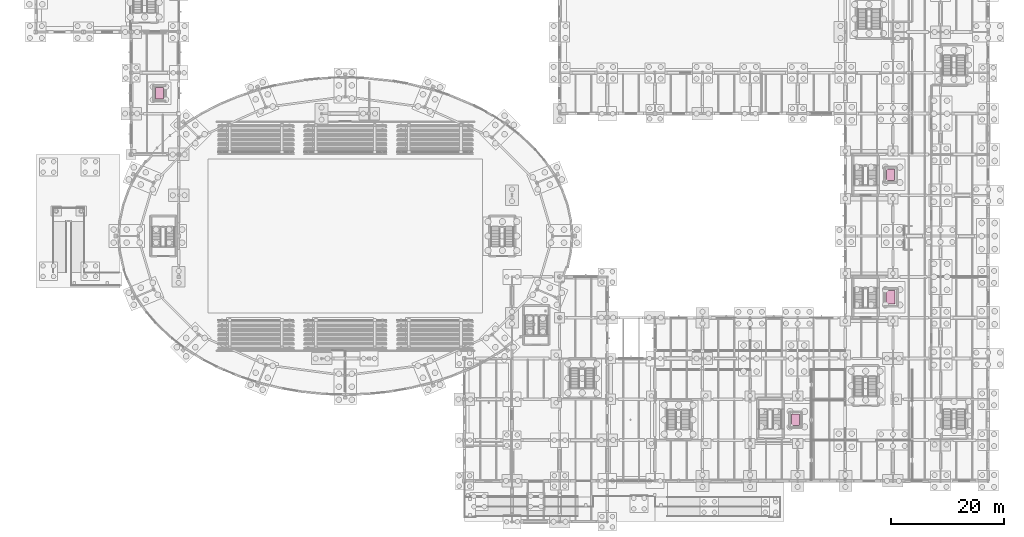
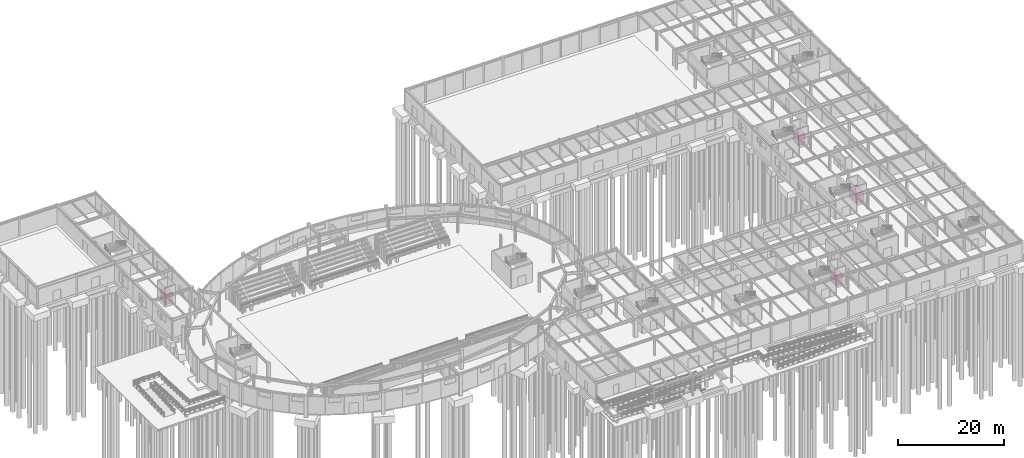
# One storey, part 93 of 93: 4 transport elements.
"""IFC4 building model written with IfcOpenShell, lengths in metres."""

from ifc_helpers import new_model, si_unit, derived_unit, direction, frame, origin, origin_2d, place, context, subcontext, project, spatial, rectangle, extrude, material, type_object, element, save


model = new_model("IFC4")

# Units and contexts
model_context = context("Model", 3, precision=1e-05, world=origin(), true_north=direction((0.0, 1.0)))
body_context = subcontext(model_context, "Body", "Model", "MODEL_VIEW")
ifc_project = project(units=[si_unit("LENGTHUNIT", "METRE"), si_unit("AREAUNIT", "SQUARE_METRE"), si_unit("VOLUMEUNIT", "CUBIC_METRE"), si_unit("PLANEANGLEUNIT", "RADIAN"), si_unit("MASSUNIT", "GRAM", prefix="KILO"), derived_unit("THERMALTRANSMITTANCEUNIT", [(si_unit("MASSUNIT", "GRAM", prefix="KILO"), 1), (si_unit("TIMEUNIT", "SECOND"), -3), (si_unit("THERMODYNAMICTEMPERATUREUNIT", "KELVIN"), -1)])], contexts=[model_context])

# Site, building, storey
site_placement = place(None, origin())
site = spatial("IfcSite", under=ifc_project, at=site_placement, CompositionType="ELEMENT")
building_placement = place(site_placement, origin())
building = spatial("IfcBuilding", under=site, at=building_placement, Name="Kharveza Railside Sports Centre", CompositionType="ELEMENT")
storey_placement = place(building_placement, origin())
storey = spatial("IfcBuildingStorey", under=building, at=storey_placement, Name="L00", CompositionType="ELEMENT", Elevation=0.0)

# Transport elements
ifc_material = material(Name="Steel S275JR", Category="steel")
transport_element_type_1 = type_object("IfcTransportElementType", Name="LF-FF01", PredefinedType="ELEVATOR", material=ifc_material)
transport_element_placement = place(storey_placement, frame((150.800048828125, 39.60009765625, 0.0), z_axis=(0.0, 0.0, 1.0), x_axis=(1.0, 0.0, 0.0)))
element("IfcTransportElement", 1, at=transport_element_placement, inside=storey, type_object=transport_element_type_1, Name="Lift LF-01", PredefinedType="ELEVATOR", context=body_context, shape_type="SweptSolid", body=[
    extrude(rectangle(XDim=1.60009765625, YDim=2.39990234375, at=origin_2d()), origin(), (0.0, 0.0, 1.0), 2.39990234375),
])
transport_element_type_2 = type_object("IfcTransportElementType", Name="LF-PS01", PredefinedType="ELEVATOR", material=ifc_material)
for number, where, z_axis, x_axis, name in (
    (2, (150.800048828125, 61.199951171875, 0.0), (0.0, 0.0, 1.0), (1.0, 0.0, 0.0), "Lift LF-02"),
    (3, (134.0, 18.0, 0.0), (0.0, 0.0, 1.0), (1.0, 0.0, 0.0), "Lift LF-03"),
    (4, (21.800048828125, 75.60009765625, 0.0), (0.0, 0.0, 1.0), (1.0, 0.0, 0.0), "Lift LF-04"),
):
    element("IfcTransportElement", number, at=place(storey_placement, frame(where, z_axis=z_axis, x_axis=x_axis)), inside=storey, type_object=transport_element_type_2, Name=name, PredefinedType="ELEVATOR", context=body_context, shape_type="SweptSolid", body=[
        extrude(rectangle(XDim=1.39990234375, YDim=2.0, at=origin_2d()), origin(), (0.0, 0.0, 1.0), 2.39990234375),
    ])

save(model, "model.ifc")
